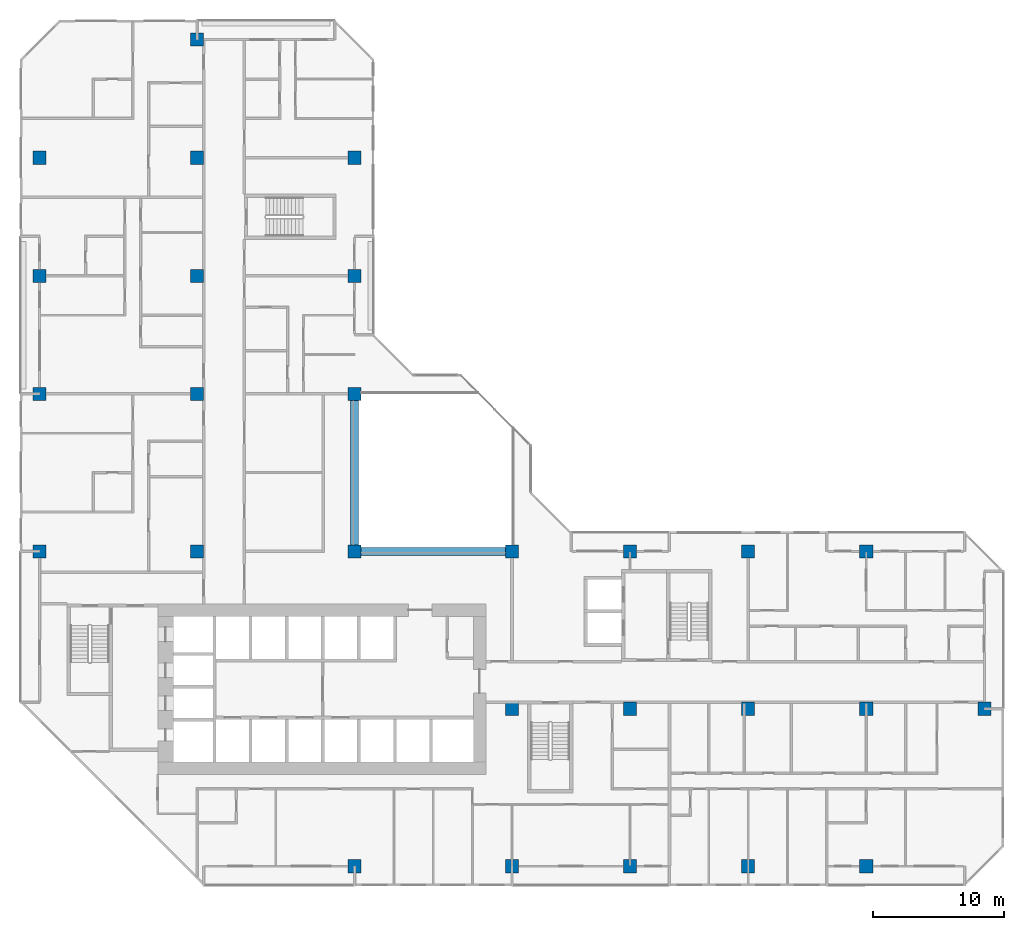
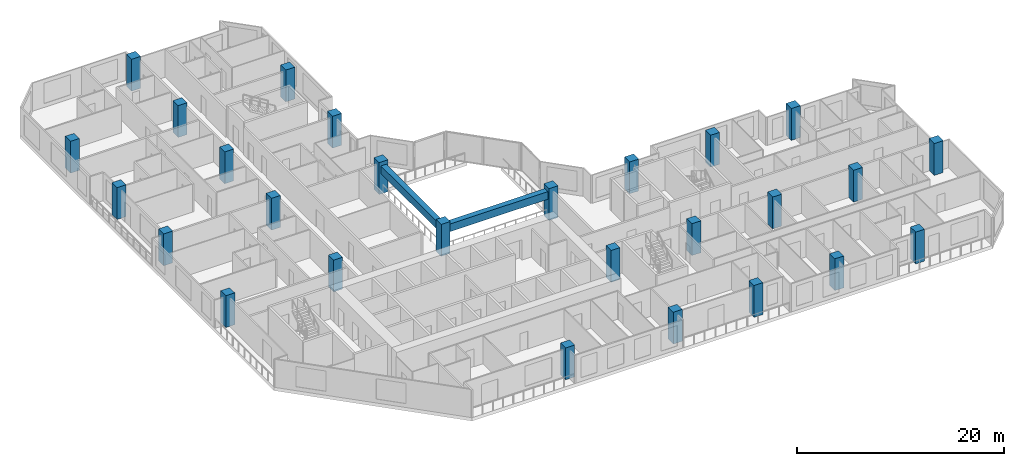
# One storey, part 1 of 15: 27 columns, 2 beams.
"""IFC4 building model written with IfcOpenShell, lengths in metres."""

from ifc_helpers import new_model, si_unit, direction, frame, origin, origin_2d, place, context, subcontext, project, spatial, rectangle, extrude, material, material_profile, profile_set, type_object, element, save


model = new_model("IFC4")

# Units and contexts
model_context = context("Model", 3, precision=1e-05, world=origin(), true_north=direction((0.0, 1.0)))
body_context = subcontext(model_context, "Body", "Model", "MODEL_VIEW")
ifc_project = project(units=[si_unit("LENGTHUNIT", "METRE"), si_unit("AREAUNIT", "SQUARE_METRE"), si_unit("VOLUMEUNIT", "CUBIC_METRE"), si_unit("PLANEANGLEUNIT", "RADIAN"), si_unit("MASSUNIT", "GRAM", prefix="KILO")], contexts=[model_context])

# Site, building, storey
site_placement = place(None, origin())
site = spatial("IfcSite", under=ifc_project, at=site_placement, CompositionType="ELEMENT")
building_placement = place(site_placement, origin())
building = spatial("IfcBuilding", under=site, at=building_placement, Name="Chenar Terraces", CompositionType="ELEMENT")
storey_placement = place(building_placement, frame((0.0, 0.0, 136.89990234375)))
storey = spatial("IfcBuildingStorey", under=building, at=storey_placement, Name="L32", CompositionType="ELEMENT", Elevation=136.89990234375)

# Columns
ifc_material_1 = material(Name="Concrete C70/85", Category="concrete")
ifc_material_profile_1 = material_profile(ifc_material_1, rectangle(XDim=1.0, YDim=1.0, at=origin_2d()), Name="C 1000 x 1000")
ifc_profile_set_1 = profile_set([ifc_material_profile_1], Name="Concrete C70/85")
column_type = type_object("IfcColumnType", Name="Column C 1000 x 1000 Concrete C70/85", PredefinedType="COLUMN", material=ifc_profile_set_1)
column_1_placement = place(storey_placement, frame((0.0, 24.0, 0.0), z_axis=(0.0, 0.0, 1.0), x_axis=(1.0, 0.0, 0.0)))
element("IfcColumn", 1, at=column_1_placement, inside=storey, type_object=column_type, Name="Column 5/G L32", PredefinedType="COLUMN", context=body_context, shape_type="SweptSolid", body=[
    extrude(rectangle(XDim=1.0, YDim=1.0, at=origin_2d()), origin(), (0.0, 0.0, 1.0), 3.75),
])
column_2_placement = place(storey_placement, frame((0.0, 36.0, 0.0), z_axis=(0.0, 0.0, 1.0), x_axis=(1.0, 0.0, 0.0)))
element("IfcColumn", 2, at=column_2_placement, inside=storey, type_object=column_type, Name="Column 5/H L32", PredefinedType="COLUMN", context=body_context, shape_type="SweptSolid", body=[
    extrude(rectangle(XDim=1.0, YDim=1.0, at=origin_2d()), origin(), (0.0, 0.0, 1.0), 3.75),
])
for number, where, z_axis, x_axis, name in (
    (3, (0.0, 45.0, 0.0), (0.0, 0.0, 1.0), (1.0, 0.0, 0.0), "Column 5/J L32"),
    (4, (0.0, 54.0, 0.0), (0.0, 0.0, 1.0), (1.0, 0.0, 0.0), "Column 5/K L32"),
    (5, (12.0, 24.0, 0.0), (0.0, 0.0, 1.0), (1.0, 0.0, 0.0), "Column 6/G L32"),
    (6, (12.0, 36.0, 0.0), (0.0, 0.0, 1.0), (1.0, 0.0, 0.0), "Column 6/H L32"),
    (7, (12.0, 45.0, 0.0), (0.0, 0.0, 1.0), (1.0, 0.0, 0.0), "Column 6/J L32"),
    (8, (12.0, 54.0, 0.0), (0.0, 0.0, 1.0), (1.0, 0.0, 0.0), "Column 6/K L32"),
    (9, (12.0, 63.0, 0.0), (0.0, 0.0, 1.0), (1.0, 0.0, 0.0), "Column 6/L L32"),
    (10, (24.0, 0.0, 0.0), (0.0, 0.0, 1.0), (1.0, 0.0, 0.0), "Column 7/E L32"),
    (11, (24.0, 24.0, 0.0), (0.0, 0.0, 1.0), (1.0, 0.0, 0.0), "Column 7/G L32"),
    (12, (24.0, 36.0, 0.0), (0.0, 0.0, 1.0), (1.0, 0.0, 0.0), "Column 7/H L32"),
    (13, (24.0, 45.0, 0.0), (0.0, 0.0, 1.0), (1.0, 0.0, 0.0), "Column 7/J L32"),
    (14, (24.0, 54.0, 0.0), (0.0, 0.0, 1.0), (1.0, 0.0, 0.0), "Column 7/K L32"),
    (15, (36.0, 0.0, 0.0), (0.0, 0.0, 1.0), (1.0, 0.0, 0.0), "Column 8/E L32"),
    (16, (36.0, 12.0, 0.0), (0.0, 0.0, 1.0), (1.0, 0.0, 0.0), "Column 8/F L32"),
    (17, (36.0, 24.0, 0.0), (0.0, 0.0, 1.0), (1.0, 0.0, 0.0), "Column 8/G L32"),
    (18, (45.0, 0.0, 0.0), (0.0, 0.0, 1.0), (1.0, 0.0, 0.0), "Column 9/E L32"),
    (19, (45.0, 12.0, 0.0), (0.0, 0.0, 1.0), (1.0, 0.0, 0.0), "Column 9/F L32"),
    (20, (45.0, 24.0, 0.0), (0.0, 0.0, 1.0), (1.0, 0.0, 0.0), "Column 9/G L32"),
    (21, (54.0, 0.0, 0.0), (0.0, 0.0, 1.0), (1.0, 0.0, 0.0), "Column 10/E L32"),
    (22, (54.0, 12.0, 0.0), (0.0, 0.0, 1.0), (1.0, 0.0, 0.0), "Column 10/F L32"),
    (23, (54.0, 24.0, 0.0), (0.0, 0.0, 1.0), (1.0, 0.0, 0.0), "Column 10/G L32"),
    (24, (63.0, 0.0, 0.0), (0.0, 0.0, 1.0), (1.0, 0.0, 0.0), "Column 11/E L32"),
    (25, (63.0, 12.0, 0.0), (0.0, 0.0, 1.0), (1.0, 0.0, 0.0), "Column 11/F L32"),
    (26, (63.0, 24.0, 0.0), (0.0, 0.0, 1.0), (1.0, 0.0, 0.0), "Column 11/G L32"),
    (27, (72.0, 12.0, 0.0), (0.0, 0.0, 1.0), (1.0, 0.0, 0.0), "Column 12/F L32"),
):
    element("IfcColumn", number, at=place(storey_placement, frame(where, z_axis=z_axis, x_axis=x_axis)), inside=storey, type_object=column_type, Name=name, PredefinedType="COLUMN", context=body_context, shape_type="SweptSolid", body=[
        extrude(rectangle(XDim=1.0, YDim=1.0, at=origin_2d()), origin(), (0.0, 0.0, 1.0), 3.75),
    ])

# Beams
ifc_material_2 = material(Name="Concrete C40/50", Category="concrete")
ifc_material_profile_2 = material_profile(ifc_material_2, rectangle(XDim=0.60009765625, YDim=0.89990234375, at=origin_2d()), Name="RC 600 x 900")
ifc_profile_set_2 = profile_set([ifc_material_profile_2], Name="Concrete C40/50")
beam_type = type_object("IfcBeamType", Name="Atrium edge beam 600 x 900 Concrete C40/50", PredefinedType="BEAM", material=ifc_profile_set_2)
for number, where, z_axis, x_axis, name in (
    (28, (24.5, 24.0, 2.85009765625), (1.0, 0.0, 0.0), (0.0, 1.0, 0.0), "Atrium edge beam L33 1"),
    (29, (24.0, 35.5, 2.85009765625), (0.0, -1.0, 0.0), (1.0, 0.0, 0.0), "Atrium edge beam L33 4"),
):
    element("IfcBeam", number, at=place(storey_placement, frame(where, z_axis=z_axis, x_axis=x_axis)), inside=storey, type_object=beam_type, Name=name, PredefinedType="BEAM", context=body_context, shape_type="SweptSolid", body=[
        extrude(rectangle(XDim=0.60009765625, YDim=0.89990234375, at=origin_2d()), origin(), (0.0, 0.0, 1.0), 11.0),
    ])

save(model, "model.ifc")
